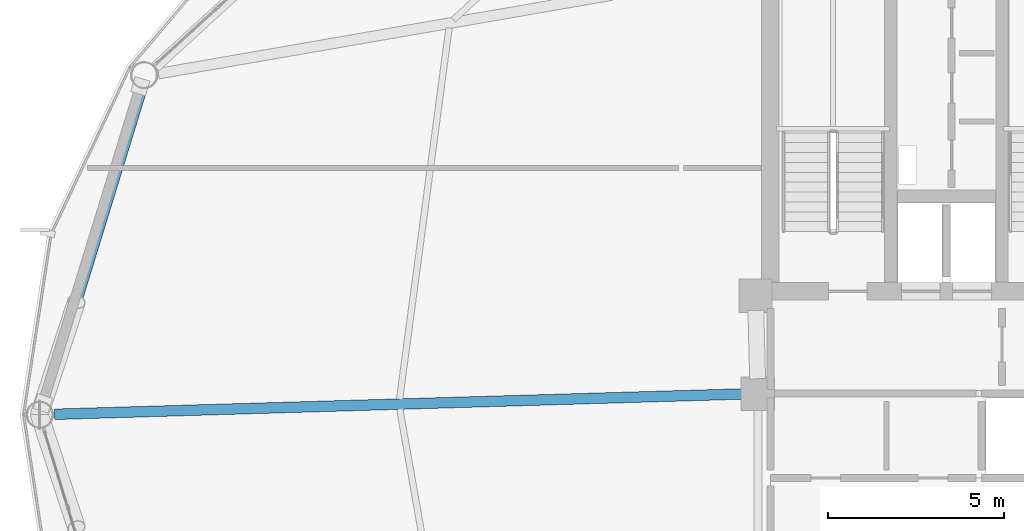
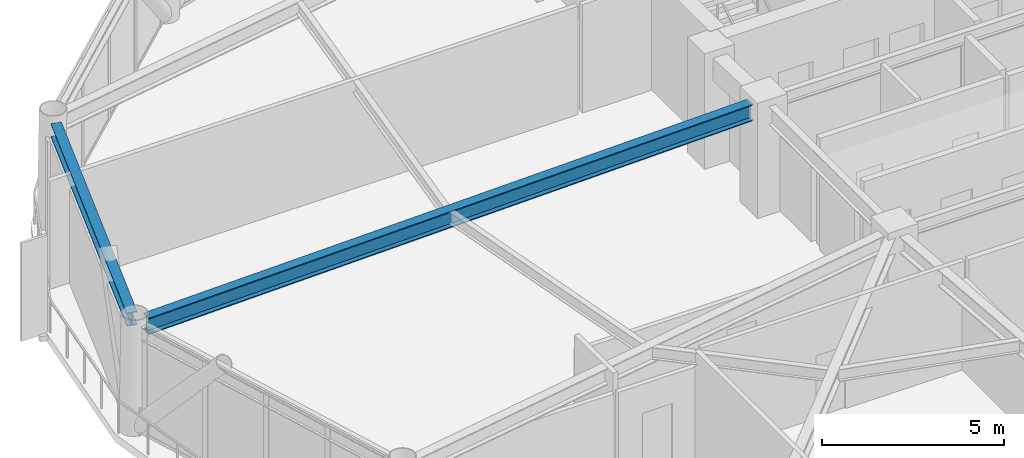
# One storey, part 9 of 25: 2 beams.
"""IFC4 building model written with IfcOpenShell, lengths in metres."""

from ifc_helpers import new_model, si_unit, direction, frame, origin, origin_2d, place, context, subcontext, project, spatial, i_section, extrude, material, material_profile, profile_set, type_object, element, save


model = new_model("IFC4")

# Units and contexts
model_context = context("Model", 3, precision=1e-05, world=origin(), true_north=direction((0.0, 1.0)))
body_context = subcontext(model_context, "Body", "Model", "MODEL_VIEW")
ifc_project = project(units=[si_unit("LENGTHUNIT", "METRE"), si_unit("AREAUNIT", "SQUARE_METRE"), si_unit("VOLUMEUNIT", "CUBIC_METRE"), si_unit("PLANEANGLEUNIT", "RADIAN"), si_unit("MASSUNIT", "GRAM", prefix="KILO")], contexts=[model_context])

# Site, building, storey
site_placement = place(None, origin())
site = spatial("IfcSite", under=ifc_project, at=site_placement, CompositionType="ELEMENT")
building_placement = place(site_placement, origin())
building = spatial("IfcBuilding", under=site, at=building_placement, Name="Varnakorn Sky Granary", CompositionType="ELEMENT")
storey_placement = place(building_placement, frame((0.0, 0.0, 122.699951171875)))
storey = spatial("IfcBuildingStorey", under=building, at=storey_placement, Name="L30", CompositionType="ELEMENT", Elevation=122.699951171875)

# Beams
ifc_material = material(Name="Steel S355JR", Category="steel")
ifc_material_profile_1 = material_profile(ifc_material, i_section(OverallWidth=0.300048828125, OverallDepth=0.550048828125, WebThickness=0.014892578125, FlangeThickness=0.029052734375, at=origin_2d()), Name="HE 550 B")
ifc_profile_set_1 = profile_set([ifc_material_profile_1], Name="Steel S355JR")
beam_type_1 = type_object("IfcBeamType", Name="BM-RAD-Z3", PredefinedType="BEAM", material=ifc_profile_set_1)
beam_1_placement = place(storey_placement, frame((-2.769775390625, 0.587646484375, 3.364990234375), z_axis=(-0.999564771241, -0.029500306678, 0.0), x_axis=(0.029500306678, -0.999564771241, 0.0)))
element("IfcBeam", 1, at=beam_1_placement, inside=storey, type_object=beam_type_1, Name="Radial Floor Girder RG07 L30", PredefinedType="BEAM", context=body_context, shape_type="SweptSolid", body=[
    extrude(i_section(OverallWidth=0.300048828125, OverallDepth=0.550048828125, WebThickness=0.014892578125, FlangeThickness=0.029052734375, at=origin_2d()), origin(), (0.0, 0.0, 1.0), 19.555908203125),
])
ifc_material_profile_2 = material_profile(ifc_material, i_section(OverallWidth=0.300048828125, OverallDepth=0.449951171875, WebThickness=0.013916015625, FlangeThickness=0.02587890625, at=origin_2d()), Name="HE 450 B")
ifc_profile_set_2 = profile_set([ifc_material_profile_2], Name="Steel S355JR")
beam_type_2 = type_object("IfcBeamType", Name="BM-SPD-Z3", PredefinedType="SPANDREL", material=ifc_profile_set_2)
beam_2_placement = place(storey_placement, frame((-19.835693359375, 9.26953125, 3.4150390625), z_axis=(-0.293618811505, -0.955922587624, 0.0), x_axis=(0.955922587624, -0.293618811505, 0.0)))
element("IfcBeam", 2, at=beam_2_placement, inside=storey, type_object=beam_type_2, Name="Perimeter Spandrel Ring Beam RB06 L30", PredefinedType="SPANDREL", context=body_context, shape_type="SweptSolid", body=[
    extrude(i_section(OverallWidth=0.300048828125, OverallDepth=0.449951171875, WebThickness=0.013916015625, FlangeThickness=0.02587890625, at=origin_2d()), origin(), (0.0, 0.0, 1.0), 9.3310546875),
])

save(model, "model.ifc")
